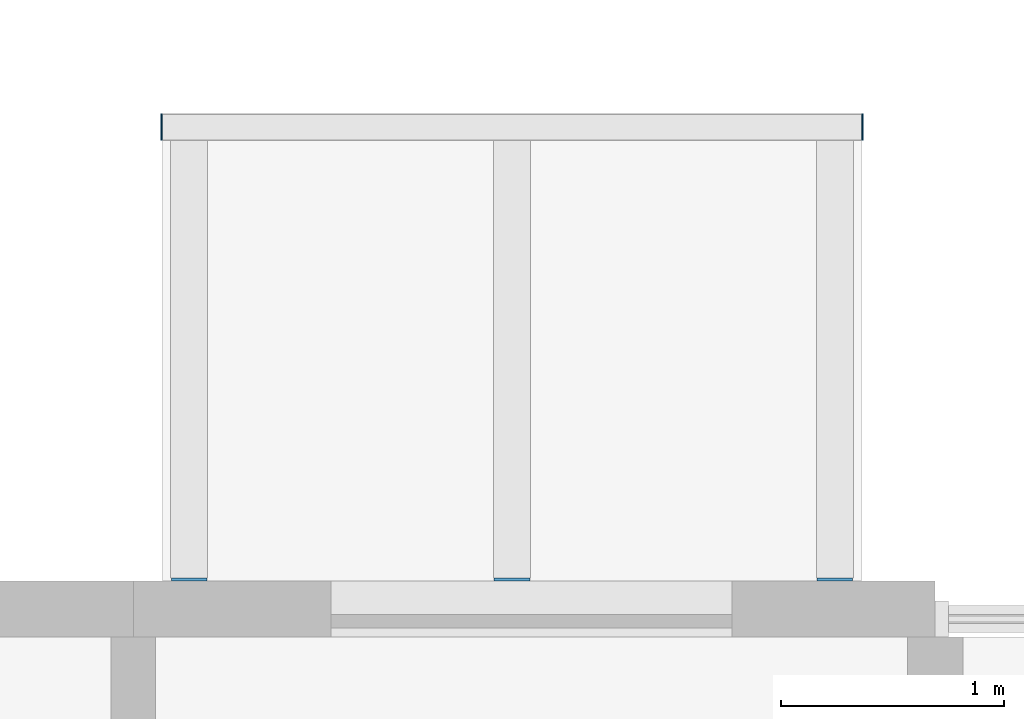
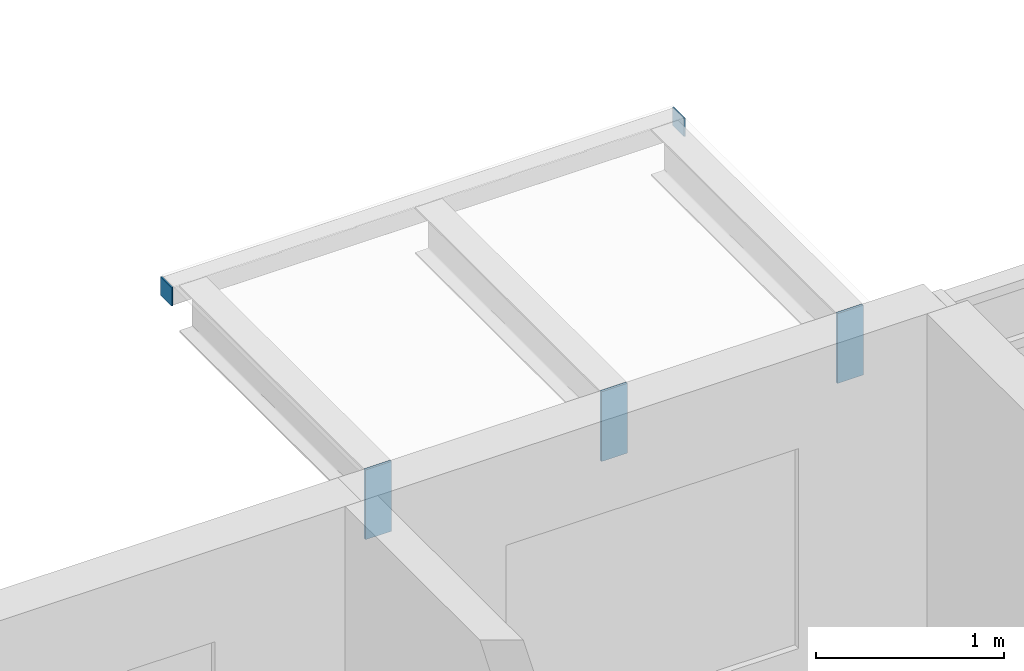
# One storey, part 67 of 94: 5 discrete accessories.
"""IFC4 building model written with IfcOpenShell, lengths in metres."""

from ifc_helpers import new_model, si_unit, direction, frame, origin, origin_2d, place, context, subcontext, project, spatial, rectangle, extrude, material, layer, layer_set, type_object, element, save


model = new_model("IFC4")

# Units and contexts
model_context = context("Model", 3, precision=1e-05, world=origin(), true_north=direction((0.0, 1.0)))
body_context = subcontext(model_context, "Body", "Model", "MODEL_VIEW")
ifc_project = project(units=[si_unit("LENGTHUNIT", "METRE"), si_unit("AREAUNIT", "SQUARE_METRE"), si_unit("VOLUMEUNIT", "CUBIC_METRE"), si_unit("PLANEANGLEUNIT", "RADIAN"), si_unit("MASSUNIT", "GRAM", prefix="KILO")], contexts=[model_context])

# Site, building, storey
site_placement = place(None, origin())
site = spatial("IfcSite", under=ifc_project, at=site_placement, CompositionType="ELEMENT")
building_placement = place(site_placement, origin())
building = spatial("IfcBuilding", under=site, at=building_placement, Name="Ridgestep Commons", CompositionType="ELEMENT")
storey_placement = place(building_placement, frame((0.0, 0.0, 21.0)))
storey = spatial("IfcBuildingStorey", under=building, at=storey_placement, Name="L07", CompositionType="ELEMENT", Elevation=21.0)

# Discrete accessories
ifc_material_1 = material(Name="Weathering steel S355J2W", Category="steel")
ifc_layer_1 = layer(ifc_material_1, 0.014892578125)
ifc_layer_set_1 = layer_set([ifc_layer_1], Name="Tray bracket plate 15")
discrete_accessory_type_1 = type_object("IfcDiscreteAccessoryType", Name="Tray bracket plate 15", PredefinedType="BRACKET", material=ifc_layer_set_1)
for number, where, z_axis, x_axis, name in (
    (1, (204.64990234375, 23.007568359375, 2.53662109375), (0.0, 0.0, 1.0), (1.0, 0.0, 0.0), "Tray bracket D4T3-08.1"),
    (2, (206.10009765625, 23.007568359375, 2.53662109375), (0.0, 0.0, 1.0), (1.0, 0.0, 0.0), "Tray bracket D4T3-08.2"),
    (3, (207.550048828125, 23.007568359375, 2.53662109375), (0.0, 0.0, 1.0), (1.0, 0.0, 0.0), "Tray bracket D4T3-08.3"),
):
    element("IfcDiscreteAccessory", number, at=place(storey_placement, frame(where, z_axis=z_axis, x_axis=x_axis)), inside=storey, type_object=discrete_accessory_type_1, Name=name, PredefinedType="BRACKET", context=body_context, shape_type="SweptSolid", body=[
        extrude(rectangle(XDim=0.159912109375, YDim=0.014892578125, at=origin_2d()), origin(), (0.0, 0.0, 1.0), 0.453369140625),
    ])
ifc_material_2 = material(Name="Weathering steel S355J2W", Category="steel")
ifc_layer_2 = layer(ifc_material_2, 0.008056640625)
ifc_layer_set_2 = layer_set([ifc_layer_2], Name="Tray edge member end plate 120 x 120 x 8")
discrete_accessory_type_2 = type_object("IfcDiscreteAccessoryType", Name="Tray edge member end plate 120 x 120 x 8", PredefinedType="BRACKET", material=ifc_layer_set_2)
for number, where, z_axis, x_axis, name in (
    (4, (204.52587890625, 25.0400390625, 2.869873046875), (0.0, 0.0, 1.0), (1.0, 0.0, 0.0), "Tray edge member end plate D4T3-08 west"),
    (5, (207.674072265625, 25.0400390625, 2.869873046875), (0.0, 0.0, 1.0), (1.0, 0.0, 0.0), "Tray edge member end plate D4T3-08 east"),
):
    element("IfcDiscreteAccessory", number, at=place(storey_placement, frame(where, z_axis=z_axis, x_axis=x_axis)), inside=storey, type_object=discrete_accessory_type_2, Name=name, PredefinedType="BRACKET", context=body_context, shape_type="SweptSolid", body=[
        extrude(rectangle(XDim=0.008056640625, YDim=0.1201171875, at=origin_2d()), origin(), (0.0, 0.0, 1.0), 0.1201171875),
    ])

save(model, "model.ifc")
